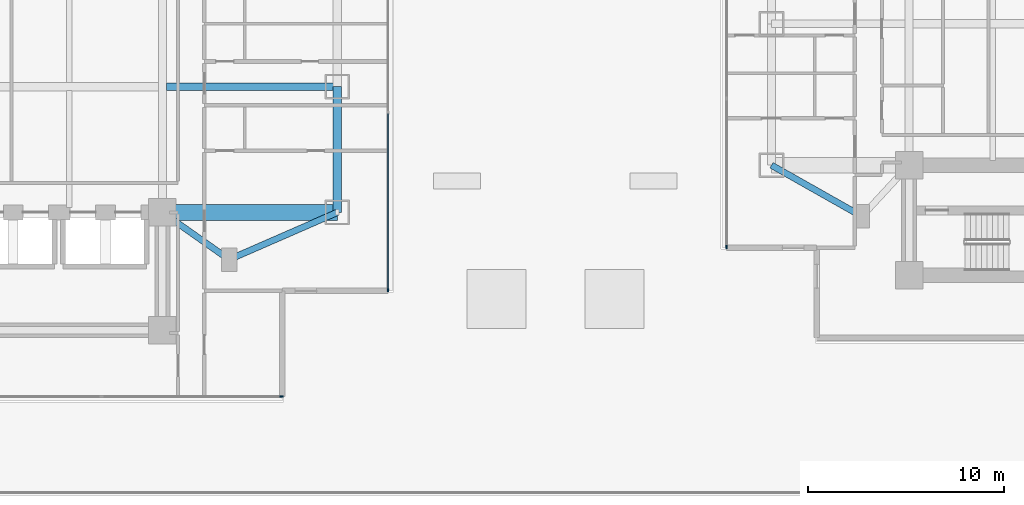
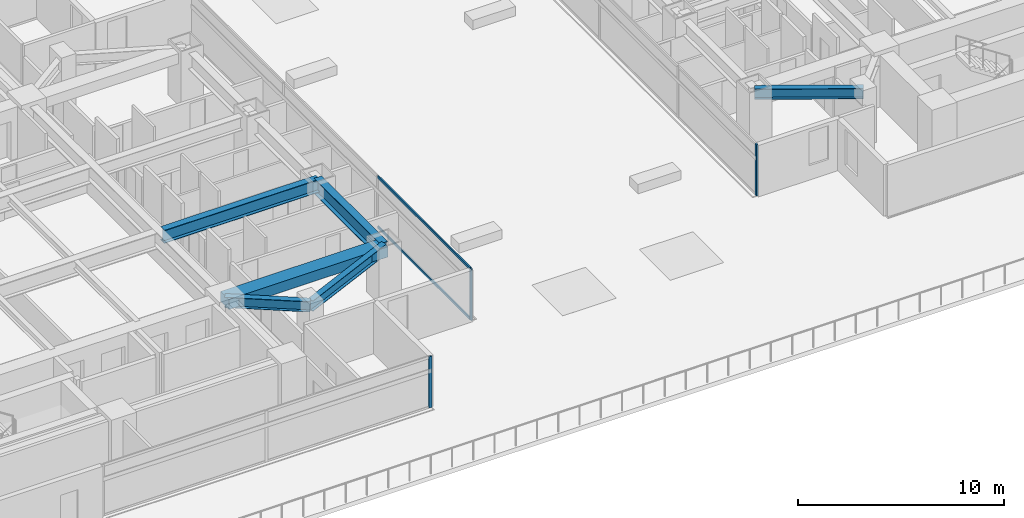
# One storey, part 4 of 26: 6 beams, 5 members, 3 elements without a shape of their own.
"""IFC4 building model written with IfcOpenShell, lengths in metres."""

import ifcopenshell
import ifcopenshell.guid

model = None  # the IFC model being written
_history = None  # IfcOwnerHistory: only IFC2X3 demands one
_inside = {}  # id of a spatial element -> (the spatial element, [elements in it])
_under = {}  # id of a project, library or spatial element -> (it, [spatial elements below it])
_declared = {}  # id of a project -> (the project, [libraries it declares])
_typed = {}  # id of a type object -> (the type object, [elements of that type])
_made_of = {}  # id of a material, layer set ... -> (it, [elements and type objects made of it])


def new_model(schema):
    """Start an empty IFC model of exactly this schema.

    Asked for "IFC4X3", IfcOpenShell would pick the latest addendum, in which some entities
    have other attributes; the version numbers below select the first issue.
    IFC2X3 requires an IfcOwnerHistory on every rooted entity: one is made here for all.
    """
    global model, _history
    if schema == "IFC4X3":
        model = ifcopenshell.file(schema_version=(4, 3, 0, 0))
    else:
        model = ifcopenshell.file(schema=schema)
    _inside.clear()
    _under.clear()
    _declared.clear()
    _typed.clear()
    _made_of.clear()
    _history = None
    if model.schema == "IFC2X3":
        org = make("IfcOrganization", Name="unknown")
        user = make(
            "IfcPersonAndOrganization",
            ThePerson=make("IfcPerson", FamilyName="unknown"),
            TheOrganization=org,
        )
        app = make(
            "IfcApplication",
            ApplicationDeveloper=org,
            Version="unknown",
            ApplicationFullName="unknown",
            ApplicationIdentifier="unknown",
        )
        _history = make(
            "IfcOwnerHistory",
            OwningUser=user,
            OwningApplication=app,
            ChangeAction="ADDED",
            CreationDate=0,
        )
    return model


def make(cls, **values):
    """One entity of the class cls with the attributes given. An attribute that is None is left unset."""
    return model.create_entity(
        cls, **{name: value for name, value in values.items() if value is not None}
    )


def rooted(cls, **values):
    """An entity with a GlobalId (a new one), such as an element, a storey or a relation."""
    return make(cls, GlobalId=ifcopenshell.guid.new(), OwnerHistory=_history, **values)


def si_unit(unit_type, name, prefix=None):
    """IfcSIUnit, for example si_unit("LENGTHUNIT", "METRE", prefix="MILLI")."""
    return make("IfcSIUnit", UnitType=unit_type, Prefix=prefix, Name=name)


def assignment(units):
    """IfcUnitAssignment: the units of a project."""
    return None if units is None else make("IfcUnitAssignment", Units=units)


def point(xyz):
    """IfcCartesianPoint."""
    return None if xyz is None else make("IfcCartesianPoint", Coordinates=xyz)


def direction(xyz):
    """IfcDirection."""
    return None if xyz is None else make("IfcDirection", DirectionRatios=xyz)


def frame(location, z_axis=None, x_axis=None):
    """IfcAxis2Placement3D, a coordinate frame: its origin and axes. An axis left out is left unset."""
    return make(
        "IfcAxis2Placement3D",
        Location=point(location),
        Axis=direction(z_axis),
        RefDirection=direction(x_axis),
    )


def frame_2d(location, x_axis=None):
    """IfcAxis2Placement2D, a coordinate frame in the plane: its origin and x axis."""
    return make(
        "IfcAxis2Placement2D", Location=point(location), RefDirection=direction(x_axis)
    )


def origin():
    """The frame at (0, 0, 0) with its axes left unset."""
    return frame((0.0, 0.0, 0.0))


def origin_2d():
    """The frame at (0, 0) in the plane with its x axis left unset."""
    return frame_2d((0.0, 0.0))


def place(relative_to, where):
    """IfcLocalPlacement: puts the frame where relative to a parent placement (None: the world)."""
    return make(
        "IfcLocalPlacement", PlacementRelTo=relative_to, RelativePlacement=where
    )


def context(
    kind, dimensions, precision=None, world=None, true_north=None, identifier=None
):
    """IfcGeometricRepresentationContext, for example the 3D "Model" context."""
    return make(
        "IfcGeometricRepresentationContext",
        ContextIdentifier=identifier,
        ContextType=kind,
        CoordinateSpaceDimension=dimensions,
        Precision=precision,
        WorldCoordinateSystem=world,
        TrueNorth=true_north,
    )


def subcontext(parent, identifier, kind, view, scale=None):
    """IfcGeometricRepresentationSubContext, for example "Body" below "Model"."""
    return make(
        "IfcGeometricRepresentationSubContext",
        ContextIdentifier=identifier,
        ContextType=kind,
        ParentContext=parent,
        TargetScale=scale,
        TargetView=view,
    )


def project(units=None, contexts=None):
    """IfcProject with its units and contexts."""
    return rooted(
        "IfcProject",
        Name="project",
        RepresentationContexts=contexts,
        UnitsInContext=assignment(units),
    )


def spatial(cls, under=None, at=None, **own):
    """A site, building, storey or space (cls), placed at a placement, below another one or the project."""
    s = rooted(cls, ObjectPlacement=at, **own)
    if under is not None:
        _under.setdefault(under.id(), (under, []))[1].append(s)
    return s


def profile(cls, at=None, kind="AREA", **sizes):
    """A parametric profile (cls). Its sizes go by their IFC names, for example OverallWidth=200.0."""
    return make(cls, ProfileType=kind, Position=at, **sizes)


def rectangle(**sizes):
    """IfcRectangleProfileDef."""
    return profile("IfcRectangleProfileDef", **sizes)


def i_section(**sizes):
    """IfcIShapeProfileDef."""
    return profile("IfcIShapeProfileDef", **sizes)


def extrude(swept, where, along, depth):
    """IfcExtrudedAreaSolid: the profile swept, set in the frame where, extruded along a direction by depth."""
    return make(
        "IfcExtrudedAreaSolid",
        SweptArea=swept,
        Position=where,
        ExtrudedDirection=direction(along),
        Depth=depth,
    )


def shape(context_of_items, identifier, shape_type, items):
    """IfcShapeRepresentation: the items that make up one representation, for example the "Body"."""
    return make(
        "IfcShapeRepresentation",
        ContextOfItems=context_of_items,
        RepresentationIdentifier=identifier,
        RepresentationType=shape_type,
        Items=items,
    )


def material(Name=None, Category=None):
    """IfcMaterial."""
    return make("IfcMaterial", Name=Name, Category=Category)


def material_profile(
    of_material, cross_section, Name=None, Category=None, Priority=None
):
    """IfcMaterialProfile: a cross section and its material."""
    return make(
        "IfcMaterialProfile",
        Name=Name,
        Material=of_material,
        Profile=cross_section,
        Priority=Priority,
        Category=Category,
    )


def profile_set(profiles, Name=None, composite=None):
    """IfcMaterialProfileSet."""
    return make(
        "IfcMaterialProfileSet",
        Name=Name,
        MaterialProfiles=profiles,
        CompositeProfile=composite,
    )


def made_of(thing, what):
    """Note that an element or type object is made of a material, layer set ...; save() writes the relation."""
    if what is not None:
        _made_of.setdefault(what.id(), (what, []))[1].append(thing)
    return thing


def type_object(cls, material=None, **own):
    """A type object (cls), such as IfcWallType, which elements share."""
    return made_of(rooted(cls, **own), material)


def element(
    cls,
    number,
    at=None,
    inside=None,
    cuts=None,
    type_object=None,
    material=None,
    context=None,
    identifier="Body",
    shape_type=None,
    held_by="IfcProductDefinitionShape",
    body=None,
    shapes=None,
    **own,
):
    """One element of the class cls, such as IfcWall. Its Tag is "e" and its number.

    at: its placement. inside: the storey or other place that contains it. cuts: it is an
    opening in that element (IfcRelVoidsElement). A single representation is given by context,
    identifier, shape_type and body (its items); several are given by shapes. held_by: the class
    of the entity that holds the representations. save() writes the other relations.
    """
    e = rooted(cls, Tag="e%d" % number, ObjectPlacement=at, **own)
    if body is not None:
        shapes = [shape(context, identifier, shape_type, body)]
    if shapes is not None:
        e.Representation = make(held_by, Representations=shapes)
    if inside is not None:
        _inside.setdefault(inside.id(), (inside, []))[1].append(e)
    if cuts is not None:
        rooted(
            "IfcRelVoidsElement", RelatingBuildingElement=cuts, RelatedOpeningElement=e
        )
    if type_object is not None:
        _typed.setdefault(type_object.id(), (type_object, []))[1].append(e)
    return made_of(e, material)


def aggregate(whole, parts):
    """IfcRelAggregates: a whole, such as a stair, and the parts it consists of."""
    return rooted("IfcRelAggregates", RelatingObject=whole, RelatedObjects=parts)


def save(model, path):
    """Write the relations noted so far, then the file.

    IfcRelAggregates (storeys below a building ...), IfcRelContainedInSpatialStructure (elements
    in a storey), IfcRelDefinesByType, IfcRelAssociatesMaterial and IfcRelDeclares: one each for
    every whole, place, type object, material and project.
    """
    for whole, parts in _under.values():
        aggregate(whole, parts)
    for where, things in _inside.values():
        rooted(
            "IfcRelContainedInSpatialStructure",
            RelatedElements=things,
            RelatingStructure=where,
        )
    for kind, things in _typed.values():
        rooted("IfcRelDefinesByType", RelatedObjects=things, RelatingType=kind)
    for what, things in _made_of.values():
        rooted("IfcRelAssociatesMaterial", RelatedObjects=things, RelatingMaterial=what)
    for by, libraries in _declared.values():
        rooted("IfcRelDeclares", RelatingContext=by, RelatedDefinitions=libraries)
    model.write(path)


model = new_model("IFC4")

# Units and contexts
model_context = context("Model", 3, precision=1e-05, world=origin(), true_north=direction((0.0, 1.0)))
body_context = subcontext(model_context, "Body", "Model", "MODEL_VIEW")
ifc_project = project(units=[si_unit("LENGTHUNIT", "METRE"), si_unit("AREAUNIT", "SQUARE_METRE"), si_unit("VOLUMEUNIT", "CUBIC_METRE"), si_unit("PLANEANGLEUNIT", "RADIAN"), si_unit("MASSUNIT", "GRAM", prefix="KILO")], contexts=[model_context])

# Site, building, storey
site_placement = place(None, origin())
site = spatial("IfcSite", under=ifc_project, at=site_placement, CompositionType="ELEMENT")
building_placement = place(site_placement, origin())
building = spatial("IfcBuilding", under=site, at=building_placement, Name="Mirazonda Arch Towers", CompositionType="ELEMENT")
storey_placement = place(building_placement, frame((0.0, 0.0, 22.39990234375)))
storey = spatial("IfcBuildingStorey", under=building, at=storey_placement, Name="L05", CompositionType="ELEMENT", Elevation=22.39990234375)

# Beams
ifc_material_1 = material(Name="Steel ASTM A992 Grade 50", Category="steel")
ifc_material_profile_1 = material_profile(ifc_material_1, i_section(OverallWidth=0.41796875, OverallDepth=0.927001953125, WebThickness=0.019287109375, FlangeThickness=0.031982421875, at=origin_2d()), Name="W36X231")
ifc_profile_set_1 = profile_set([ifc_material_profile_1], Name="Steel ASTM A992 Grade 50")
beam_type_1 = type_object("IfcBeamType", Name="BM-EXT-W36X231", PredefinedType="USERDEFINED", material=ifc_profile_set_1)
beam_1_placement = place(storey_placement, frame((38.89990234375, 18.39990234375, 2.5966796875), z_axis=(0.0, 1.0, 0.0), x_axis=(-1.0, 0.0, 0.0)))
element("IfcBeam", 1, at=beam_1_placement, inside=storey, type_object=beam_type_1, Name="L05 Floor Beam BM-T1-L05-NS-E-18", ObjectType="GIRDER", PredefinedType="USERDEFINED", context=body_context, shape_type="SweptSolid", body=[
    extrude(i_section(OverallWidth=0.41796875, OverallDepth=0.927001953125, WebThickness=0.019287109375, FlangeThickness=0.031982421875, at=origin_2d()), origin(), (0.0, 0.0, 1.0), 6.400146484375),
])
ifc_material_profile_2 = material_profile(ifc_material_1, i_section(OverallWidth=0.324951171875, OverallDepth=0.615966796875, WebThickness=0.013916015625, FlangeThickness=0.021484375, at=origin_2d()), Name="W24X117")
ifc_profile_set_2 = profile_set([ifc_material_profile_2], Name="Steel ASTM A992 Grade 50")
beam_type_2 = type_object("IfcBeamType", Name="BM-INT-W24X117", PredefinedType="BEAM", material=ifc_profile_set_2)
beam_2_placement = place(storey_placement, frame((33.39990234375, 16.0, 2.752197265625), z_axis=(-0.816971114901, 0.576678591087, 0.0), x_axis=(-0.576678591087, -0.816971114901, 0.0)))
element("IfcBeam", 2, at=beam_2_placement, inside=storey, type_object=beam_type_2, Name="L05 Floor Beam BM-T1-L05-PL-SE1", PredefinedType="BEAM", context=body_context, shape_type="SweptSolid", body=[
    extrude(i_section(OverallWidth=0.324951171875, OverallDepth=0.615966796875, WebThickness=0.013916015625, FlangeThickness=0.021484375, at=origin_2d()), origin(), (0.0, 0.0, 1.0), 4.16162109375),
])
beam_3_placement = place(storey_placement, frame((33.39990234375, 16.0, 2.752197265625), z_axis=(0.916545343703, 0.399930785183, 0.0), x_axis=(-0.399930785183, 0.916545343703, 0.0)))
element("IfcBeam", 3, at=beam_3_placement, inside=storey, type_object=beam_type_2, Name="L05 Floor Beam BM-T1-L05-PL-SE2", PredefinedType="BEAM", context=body_context, shape_type="SweptSolid", body=[
    extrude(i_section(OverallWidth=0.324951171875, OverallDepth=0.615966796875, WebThickness=0.013916015625, FlangeThickness=0.021484375, at=origin_2d()), origin(), (0.0, 0.0, 1.0), 6.000732421875),
])
beam_4_placement = place(storey_placement, frame((65.60009765625, 18.199951171875, 2.752197265625), z_axis=(-0.870559396632, 0.492063346467, 0.0), x_axis=(-0.492063346467, -0.870559396632, 0.0)))
element("IfcBeam", 4, at=beam_4_placement, inside=storey, type_object=beam_type_2, Name="L05 Floor Beam BM-T2-L05-PL-SW2", PredefinedType="BEAM", context=body_context, shape_type="SweptSolid", body=[
    extrude(i_section(OverallWidth=0.324951171875, OverallDepth=0.615966796875, WebThickness=0.013916015625, FlangeThickness=0.021484375, at=origin_2d()), origin(), (0.0, 0.0, 1.0), 5.2841796875),
])
ifc_material_profile_3 = material_profile(ifc_material_1, i_section(OverallWidth=0.381103515625, OverallDepth=0.77294921875, WebThickness=0.0166015625, FlangeThickness=0.027099609375, at=origin_2d()), Name="W30X173")
ifc_profile_set_3 = profile_set([ifc_material_profile_3], Name="Steel ASTM A992 Grade 50")
beam_type_3 = type_object("IfcBeamType", Name="BM-INT-W30X173", PredefinedType="USERDEFINED", material=ifc_profile_set_3)
beam_5_placement = place(storey_placement, frame((30.21142578125, 24.800048828125, 2.673583984375), z_axis=(1.0, 0.0, 0.0), x_axis=(0.0, 1.0, 0.0)))
element("IfcBeam", 5, at=beam_5_placement, inside=storey, type_object=beam_type_3, Name="L05 Floor Beam BM-T1-L05-GE2", ObjectType="GIRDER", PredefinedType="USERDEFINED", context=body_context, shape_type="SweptSolid", body=[
    extrude(i_section(OverallWidth=0.381103515625, OverallDepth=0.77294921875, WebThickness=0.0166015625, FlangeThickness=0.027099609375, at=origin_2d()), origin(), (0.0, 0.0, 1.0), 8.6884765625),
])
ifc_material_2 = material(Name="Concrete C60/75", Category="concrete")
ifc_material_profile_4 = material_profile(ifc_material_2, rectangle(XDim=0.800048828125, YDim=0.60009765625, at=origin_2d()), Name="RCCB800x600")
ifc_profile_set_4 = profile_set([ifc_material_profile_4], Name="Concrete C60/75")
beam_type_4 = type_object("IfcBeamType", Name="CB-INT-RCCB800x600", PredefinedType="SPANDREL", material=ifc_profile_set_4)
beam_6_placement = place(storey_placement, frame((30.0, 18.39990234375, 2.760009765625), z_axis=(1.0, 0.0, 0.0), x_axis=(0.0, 1.0, 0.0)))
element("IfcBeam", 6, at=beam_6_placement, inside=storey, type_object=beam_type_4, Name="L05 Floor Beam CBC-T1-L05-SE", PredefinedType="SPANDREL", context=body_context, shape_type="SweptSolid", body=[
    extrude(rectangle(XDim=0.800048828125, YDim=0.60009765625, at=origin_2d()), origin(), (0.0, 0.0, 1.0), 8.89990234375),
])

# Curtain wall, member
ifc_material_3 = material(Name="Anodised Aluminium and Low-E Glass", Category="aluminium")
curtain_wall_type = type_object("IfcCurtainWallType", Name="CW-HTL-UNIT", PredefinedType="NOTDEFINED", material=ifc_material_3)
curtain_wall_1_placement = place(storey_placement, origin())
curtain_wall_1 = element("IfcCurtainWall", 7, at=curtain_wall_1_placement, inside=storey, type_object=curtain_wall_type, Name="L05 Curtain Wall CW-L05-T1-S", PredefinedType="NOTDEFINED")
ifc_material_4 = material(Name="Anodised Aluminium Alloy", Category="aluminium")
ifc_material_profile_5 = material_profile(ifc_material_4, rectangle(XDim=0.074951171875, YDim=0.1650390625, at=origin_2d()), Name="ALU-MULL-75x165")
ifc_profile_set_5 = profile_set([ifc_material_profile_5], Name="Anodised Aluminium Alloy")
member_type_1 = type_object("IfcMemberType", Name="MULL-CW-HTL-UNIT", PredefinedType="MULLION", material=ifc_profile_set_5)
member_1_placement = place(storey_placement, frame((36.0625, 9.02001953125, 0.0), z_axis=(0.0, 0.0, 1.0), x_axis=(0.0, -1.0, 0.0)))
member_1 = element("IfcMember", 8, at=member_1_placement, type_object=member_type_1, Name="CW-112 mullion 1", PredefinedType="MULLION", context=body_context, shape_type="SweptSolid", body=[
    extrude(rectangle(XDim=0.074951171875, YDim=0.1650390625, at=origin_2d()), origin(), (0.0, 0.0, 1.0), 3.0400390625),
])
aggregate(curtain_wall_1, [member_1])

curtain_wall_2_placement = place(storey_placement, origin())
curtain_wall_2 = element("IfcCurtainWall", 9, at=curtain_wall_2_placement, inside=storey, type_object=curtain_wall_type, Name="L05 T1 E Facade CW-L05-T1-E", PredefinedType="NOTDEFINED")
member_2_placement = place(storey_placement, frame((41.47998046875, 14.4375, 0.0), z_axis=(0.0, 0.0, 1.0), x_axis=(-1.0, 0.0, 0.0)))
member_2 = element("IfcMember", 10, at=member_2_placement, type_object=member_type_1, Name="CW-112 mullion 1", PredefinedType="MULLION", context=body_context, shape_type="SweptSolid", body=[
    extrude(rectangle(XDim=0.074951171875, YDim=0.1650390625, at=origin_2d()), origin(), (0.0, 0.0, 1.0), 3.0400390625),
])

curtain_wall_3_placement = place(storey_placement, origin())
curtain_wall_3 = element("IfcCurtainWall", 11, at=curtain_wall_3_placement, inside=storey, type_object=curtain_wall_type, Name="L05 T2 W Facade CW-L05-T2-W", PredefinedType="NOTDEFINED")
member_3_placement = place(storey_placement, frame((58.719970703125, 16.637451171875, 0.0), z_axis=(0.0, 0.0, 1.0), x_axis=(1.0, 0.0, 0.0)))
member_3 = element("IfcMember", 12, at=member_3_placement, type_object=member_type_1, Name="CW-112 mullion 4", PredefinedType="MULLION", context=body_context, shape_type="SweptSolid", body=[
    extrude(rectangle(XDim=0.074951171875, YDim=0.1650390625, at=origin_2d()), origin(), (0.0, 0.0, 1.0), 3.0400390625),
])
aggregate(curtain_wall_3, [member_3])

# Member
ifc_material_profile_6 = material_profile(ifc_material_4, rectangle(XDim=0.074951171875, YDim=0.14501953125, at=origin_2d()), Name="ALU-TRAN-75x145")
ifc_profile_set_6 = profile_set([ifc_material_profile_6], Name="Anodised Aluminium Alloy")
member_type_2 = type_object("IfcMemberType", Name="TRAN-CW-HTL-UNIT", PredefinedType="USERDEFINED", material=ifc_profile_set_6)
member_4_placement = place(storey_placement, frame((41.47998046875, 14.47509765625, 0.03759765625), z_axis=(0.0, 1.0, 0.0), x_axis=(-1.0, 0.0, 0.0)))
member_4 = element("IfcMember", 13, at=member_4_placement, type_object=member_type_2, Name="CW-112 transom 1.1", ObjectType="TRANSOM", PredefinedType="USERDEFINED", context=body_context, shape_type="SweptSolid", body=[
    extrude(rectangle(XDim=0.074951171875, YDim=0.14501953125, at=origin_2d()), origin(), (0.0, 0.0, 1.0), 8.9541015625),
])

member_5_placement = place(storey_placement, frame((41.47998046875, 14.47509765625, 3.002685546875), z_axis=(0.0, 1.0, 0.0), x_axis=(-1.0, 0.0, 0.0)))
member_5 = element("IfcMember", 14, at=member_5_placement, type_object=member_type_2, Name="CW-112 transom 1.2", ObjectType="TRANSOM", PredefinedType="USERDEFINED", context=body_context, shape_type="SweptSolid", body=[
    extrude(rectangle(XDim=0.074951171875, YDim=0.14501953125, at=origin_2d()), origin(), (0.0, 0.0, 1.0), 8.9541015625),
])

aggregate(curtain_wall_2, [member_2, member_4, member_5])

save(model, "model.ifc")
